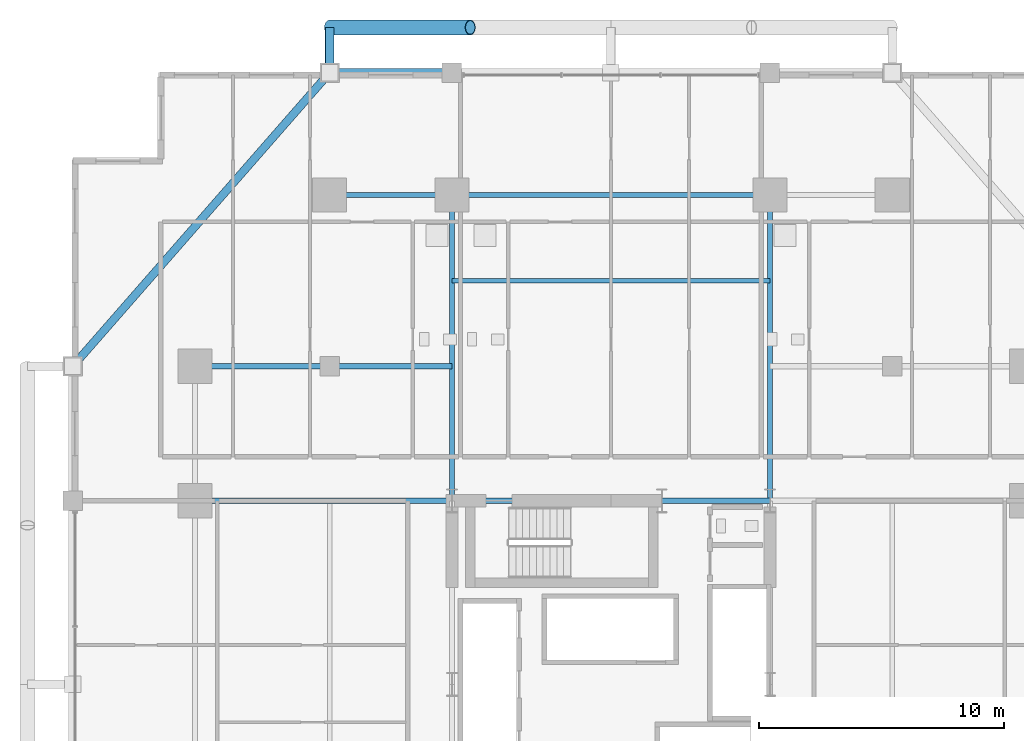
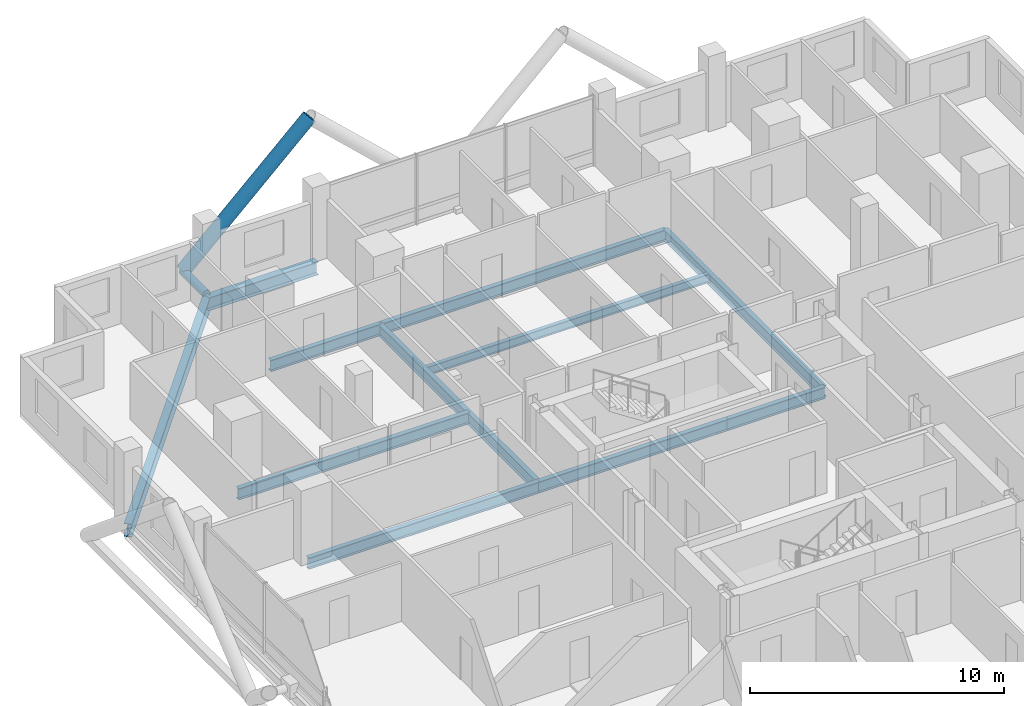
# One storey, part 14 of 28: 12 beams, 2 members.
"""IFC4 building model written with IfcOpenShell, lengths in metres."""

import ifcopenshell
import ifcopenshell.guid

model = None  # the IFC model being written
_history = None  # IfcOwnerHistory: only IFC2X3 demands one
_inside = {}  # id of a spatial element -> (the spatial element, [elements in it])
_under = {}  # id of a project, library or spatial element -> (it, [spatial elements below it])
_declared = {}  # id of a project -> (the project, [libraries it declares])
_typed = {}  # id of a type object -> (the type object, [elements of that type])
_made_of = {}  # id of a material, layer set ... -> (it, [elements and type objects made of it])


def new_model(schema):
    """Start an empty IFC model of exactly this schema.

    Asked for "IFC4X3", IfcOpenShell would pick the latest addendum, in which some entities
    have other attributes; the version numbers below select the first issue.
    IFC2X3 requires an IfcOwnerHistory on every rooted entity: one is made here for all.
    """
    global model, _history
    if schema == "IFC4X3":
        model = ifcopenshell.file(schema_version=(4, 3, 0, 0))
    else:
        model = ifcopenshell.file(schema=schema)
    _inside.clear()
    _under.clear()
    _declared.clear()
    _typed.clear()
    _made_of.clear()
    _history = None
    if model.schema == "IFC2X3":
        org = make("IfcOrganization", Name="unknown")
        user = make(
            "IfcPersonAndOrganization",
            ThePerson=make("IfcPerson", FamilyName="unknown"),
            TheOrganization=org,
        )
        app = make(
            "IfcApplication",
            ApplicationDeveloper=org,
            Version="unknown",
            ApplicationFullName="unknown",
            ApplicationIdentifier="unknown",
        )
        _history = make(
            "IfcOwnerHistory",
            OwningUser=user,
            OwningApplication=app,
            ChangeAction="ADDED",
            CreationDate=0,
        )
    return model


def make(cls, **values):
    """One entity of the class cls with the attributes given. An attribute that is None is left unset."""
    return model.create_entity(
        cls, **{name: value for name, value in values.items() if value is not None}
    )


def rooted(cls, **values):
    """An entity with a GlobalId (a new one), such as an element, a storey or a relation."""
    return make(cls, GlobalId=ifcopenshell.guid.new(), OwnerHistory=_history, **values)


def si_unit(unit_type, name, prefix=None):
    """IfcSIUnit, for example si_unit("LENGTHUNIT", "METRE", prefix="MILLI")."""
    return make("IfcSIUnit", UnitType=unit_type, Prefix=prefix, Name=name)


def assignment(units):
    """IfcUnitAssignment: the units of a project."""
    return None if units is None else make("IfcUnitAssignment", Units=units)


def point(xyz):
    """IfcCartesianPoint."""
    return None if xyz is None else make("IfcCartesianPoint", Coordinates=xyz)


def direction(xyz):
    """IfcDirection."""
    return None if xyz is None else make("IfcDirection", DirectionRatios=xyz)


def frame(location, z_axis=None, x_axis=None):
    """IfcAxis2Placement3D, a coordinate frame: its origin and axes. An axis left out is left unset."""
    return make(
        "IfcAxis2Placement3D",
        Location=point(location),
        Axis=direction(z_axis),
        RefDirection=direction(x_axis),
    )


def frame_2d(location, x_axis=None):
    """IfcAxis2Placement2D, a coordinate frame in the plane: its origin and x axis."""
    return make(
        "IfcAxis2Placement2D", Location=point(location), RefDirection=direction(x_axis)
    )


def origin():
    """The frame at (0, 0, 0) with its axes left unset."""
    return frame((0.0, 0.0, 0.0))


def origin_2d():
    """The frame at (0, 0) in the plane with its x axis left unset."""
    return frame_2d((0.0, 0.0))


def place(relative_to, where):
    """IfcLocalPlacement: puts the frame where relative to a parent placement (None: the world)."""
    return make(
        "IfcLocalPlacement", PlacementRelTo=relative_to, RelativePlacement=where
    )


def context(
    kind, dimensions, precision=None, world=None, true_north=None, identifier=None
):
    """IfcGeometricRepresentationContext, for example the 3D "Model" context."""
    return make(
        "IfcGeometricRepresentationContext",
        ContextIdentifier=identifier,
        ContextType=kind,
        CoordinateSpaceDimension=dimensions,
        Precision=precision,
        WorldCoordinateSystem=world,
        TrueNorth=true_north,
    )


def subcontext(parent, identifier, kind, view, scale=None):
    """IfcGeometricRepresentationSubContext, for example "Body" below "Model"."""
    return make(
        "IfcGeometricRepresentationSubContext",
        ContextIdentifier=identifier,
        ContextType=kind,
        ParentContext=parent,
        TargetScale=scale,
        TargetView=view,
    )


def project(units=None, contexts=None):
    """IfcProject with its units and contexts."""
    return rooted(
        "IfcProject",
        Name="project",
        RepresentationContexts=contexts,
        UnitsInContext=assignment(units),
    )


def spatial(cls, under=None, at=None, **own):
    """A site, building, storey or space (cls), placed at a placement, below another one or the project."""
    s = rooted(cls, ObjectPlacement=at, **own)
    if under is not None:
        _under.setdefault(under.id(), (under, []))[1].append(s)
    return s


def profile(cls, at=None, kind="AREA", **sizes):
    """A parametric profile (cls). Its sizes go by their IFC names, for example OverallWidth=200.0."""
    return make(cls, ProfileType=kind, Position=at, **sizes)


def hollow_circle(**sizes):
    """IfcCircleHollowProfileDef."""
    return profile("IfcCircleHollowProfileDef", **sizes)


def i_section(**sizes):
    """IfcIShapeProfileDef."""
    return profile("IfcIShapeProfileDef", **sizes)


def extrude(swept, where, along, depth):
    """IfcExtrudedAreaSolid: the profile swept, set in the frame where, extruded along a direction by depth."""
    return make(
        "IfcExtrudedAreaSolid",
        SweptArea=swept,
        Position=where,
        ExtrudedDirection=direction(along),
        Depth=depth,
    )


def shape(context_of_items, identifier, shape_type, items):
    """IfcShapeRepresentation: the items that make up one representation, for example the "Body"."""
    return make(
        "IfcShapeRepresentation",
        ContextOfItems=context_of_items,
        RepresentationIdentifier=identifier,
        RepresentationType=shape_type,
        Items=items,
    )


def material(Name=None, Category=None):
    """IfcMaterial."""
    return make("IfcMaterial", Name=Name, Category=Category)


def material_profile(
    of_material, cross_section, Name=None, Category=None, Priority=None
):
    """IfcMaterialProfile: a cross section and its material."""
    return make(
        "IfcMaterialProfile",
        Name=Name,
        Material=of_material,
        Profile=cross_section,
        Priority=Priority,
        Category=Category,
    )


def profile_set(profiles, Name=None, composite=None):
    """IfcMaterialProfileSet."""
    return make(
        "IfcMaterialProfileSet",
        Name=Name,
        MaterialProfiles=profiles,
        CompositeProfile=composite,
    )


def made_of(thing, what):
    """Note that an element or type object is made of a material, layer set ...; save() writes the relation."""
    if what is not None:
        _made_of.setdefault(what.id(), (what, []))[1].append(thing)
    return thing


def type_object(cls, material=None, **own):
    """A type object (cls), such as IfcWallType, which elements share."""
    return made_of(rooted(cls, **own), material)


def element(
    cls,
    number,
    at=None,
    inside=None,
    cuts=None,
    type_object=None,
    material=None,
    context=None,
    identifier="Body",
    shape_type=None,
    held_by="IfcProductDefinitionShape",
    body=None,
    shapes=None,
    **own,
):
    """One element of the class cls, such as IfcWall. Its Tag is "e" and its number.

    at: its placement. inside: the storey or other place that contains it. cuts: it is an
    opening in that element (IfcRelVoidsElement). A single representation is given by context,
    identifier, shape_type and body (its items); several are given by shapes. held_by: the class
    of the entity that holds the representations. save() writes the other relations.
    """
    e = rooted(cls, Tag="e%d" % number, ObjectPlacement=at, **own)
    if body is not None:
        shapes = [shape(context, identifier, shape_type, body)]
    if shapes is not None:
        e.Representation = make(held_by, Representations=shapes)
    if inside is not None:
        _inside.setdefault(inside.id(), (inside, []))[1].append(e)
    if cuts is not None:
        rooted(
            "IfcRelVoidsElement", RelatingBuildingElement=cuts, RelatedOpeningElement=e
        )
    if type_object is not None:
        _typed.setdefault(type_object.id(), (type_object, []))[1].append(e)
    return made_of(e, material)


def aggregate(whole, parts):
    """IfcRelAggregates: a whole, such as a stair, and the parts it consists of."""
    return rooted("IfcRelAggregates", RelatingObject=whole, RelatedObjects=parts)


def save(model, path):
    """Write the relations noted so far, then the file.

    IfcRelAggregates (storeys below a building ...), IfcRelContainedInSpatialStructure (elements
    in a storey), IfcRelDefinesByType, IfcRelAssociatesMaterial and IfcRelDeclares: one each for
    every whole, place, type object, material and project.
    """
    for whole, parts in _under.values():
        aggregate(whole, parts)
    for where, things in _inside.values():
        rooted(
            "IfcRelContainedInSpatialStructure",
            RelatedElements=things,
            RelatingStructure=where,
        )
    for kind, things in _typed.values():
        rooted("IfcRelDefinesByType", RelatedObjects=things, RelatingType=kind)
    for what, things in _made_of.values():
        rooted("IfcRelAssociatesMaterial", RelatedObjects=things, RelatingMaterial=what)
    for by, libraries in _declared.values():
        rooted("IfcRelDeclares", RelatingContext=by, RelatedDefinitions=libraries)
    model.write(path)


model = new_model("IFC4")

# Units and contexts
model_context = context("Model", 3, precision=1e-05, world=origin(), true_north=direction((0.0, 1.0)))
body_context = subcontext(model_context, "Body", "Model", "MODEL_VIEW")
ifc_project = project(units=[si_unit("LENGTHUNIT", "METRE"), si_unit("AREAUNIT", "SQUARE_METRE"), si_unit("VOLUMEUNIT", "CUBIC_METRE"), si_unit("PLANEANGLEUNIT", "RADIAN"), si_unit("MASSUNIT", "GRAM", prefix="KILO")], contexts=[model_context])

# Site, building, storey
site_placement = place(None, origin())
site = spatial("IfcSite", under=ifc_project, at=site_placement, CompositionType="ELEMENT")
building_placement = place(site_placement, origin())
building = spatial("IfcBuilding", under=site, at=building_placement, Name="Barlavira Tower and Art Museum", CompositionType="ELEMENT")
storey_placement = place(building_placement, frame((0.0, 0.0, 39.60009765625)))
storey = spatial("IfcBuildingStorey", under=building, at=storey_placement, Name="L08", CompositionType="ELEMENT", Elevation=39.60009765625)

# Members
ifc_material = material(Name="Steel S355", Category="steel")
ifc_material_profile_1 = material_profile(ifc_material, hollow_circle(Radius=0.304931640625, WallThickness=0.028076171875, at=origin_2d()), Name="CHS 610.0x28.0")
ifc_profile_set_1 = profile_set([ifc_material_profile_1], Name="Steel S355")
member_type_1 = type_object("IfcMemberType", Name="Pale-Metal Exoskeleton Diagrid Tube CHS 610x28 Steel S355", PredefinedType="BRACE", material=ifc_profile_set_1)
member_1_placement = place(storey_placement, frame((-11.5, 26.85009765625, -0.1201171875), z_axis=(0.728950095515, 0.0, 0.684566839869), x_axis=(0.0, 1.0, 0.0)))
element("IfcMember", 1, at=member_1_placement, inside=storey, type_object=member_type_1, Name="L08 Exoskeleton Diagrid Tube N", PredefinedType="BRACE", context=body_context, shape_type="SweptSolid", body=[
    extrude(hollow_circle(Radius=0.304931640625, WallThickness=0.028076171875, at=origin_2d()), origin(), (0.0, 0.0, 1.0), 7.887939453125),
])
ifc_material_profile_2 = material_profile(ifc_material, hollow_circle(Radius=0.177734375, WallThickness=0.01611328125, at=origin_2d()), Name="CHS 355.6x16.0")
ifc_profile_set_2 = profile_set([ifc_material_profile_2], Name="Steel S355")
member_type_2 = type_object("IfcMemberType", Name="Pale-Metal Exoskeleton Tie Strut CHS 356x16 Steel S355", PredefinedType="STRUT", material=ifc_profile_set_2)
member_2_placement = place(storey_placement, frame((-11.5, 26.85009765625, -0.1201171875), z_axis=(0.0, -1.0, 0.0), x_axis=(1.0, 0.0, 0.0)))
element("IfcMember", 2, at=member_2_placement, inside=storey, type_object=member_type_2, Name="L08 Exoskeleton Tie Strut N1", PredefinedType="STRUT", context=body_context, shape_type="SweptSolid", body=[
    extrude(hollow_circle(Radius=0.177734375, WallThickness=0.01611328125, at=origin_2d()), origin(), (0.0, 0.0, 1.0), 1.85009765625),
])

# Beams
ifc_material_profile_3 = material_profile(ifc_material, i_section(OverallWidth=0.327880859375, OverallDepth=0.62890625, WebThickness=0.013916015625, FlangeThickness=0.021484375, at=origin_2d()), Name="W610x174.0")
ifc_profile_set_3 = profile_set([ifc_material_profile_3], Name="Steel S355")
beam_type_1 = type_object("IfcBeamType", Name="Perimeter Spandrel Edge Beam W610x174 Steel S355", PredefinedType="SPANDREL", material=ifc_profile_set_3)
beam_1_placement = place(storey_placement, frame((-11.5, 25.0, -0.53466796875), z_axis=(1.0, 0.0, 0.0), x_axis=(0.0, 1.0, 0.0)))
element("IfcBeam", 3, at=beam_1_placement, inside=storey, type_object=beam_type_1, Name="L08 Spandrel 11", PredefinedType="SPANDREL", context=body_context, shape_type="SweptSolid", body=[
    extrude(i_section(OverallWidth=0.327880859375, OverallDepth=0.62890625, WebThickness=0.013916015625, FlangeThickness=0.021484375, at=origin_2d()), origin(), (0.0, 0.0, 1.0), 5.0),
])
beam_2_placement = place(storey_placement, frame((-11.5, 25.0, -0.53466796875), z_axis=(-0.658504607869, -0.752576694707, 0.0), x_axis=(0.752576694707, -0.658504607869, 0.0)))
element("IfcBeam", 4, at=beam_2_placement, inside=storey, type_object=beam_type_1, Name="L08 Spandrel 12", PredefinedType="SPANDREL", context=body_context, shape_type="SweptSolid", body=[
    extrude(i_section(OverallWidth=0.327880859375, OverallDepth=0.62890625, WebThickness=0.013916015625, FlangeThickness=0.021484375, at=origin_2d()), origin(), (0.0, 0.0, 1.0), 15.9453125),
])
ifc_material_profile_4 = material_profile(ifc_material, i_section(OverallWidth=0.180908203125, OverallDepth=0.4169921875, WebThickness=0.010986328125, FlangeThickness=0.018310546875, at=origin_2d()), Name="W410x85.0")
ifc_profile_set_4 = profile_set([ifc_material_profile_4], Name="Steel S355")
beam_type_2 = type_object("IfcBeamType", Name="Zone 1 Composite Floor Joist W410x85 Steel S355", PredefinedType="JOIST", material=ifc_profile_set_4)
beam_3_placement = place(storey_placement, frame((-6.5, 16.5, -0.4287109375), z_axis=(1.0, 0.0, 0.0), x_axis=(0.0, 1.0, 0.0)))
element("IfcBeam", 5, at=beam_3_placement, inside=storey, type_object=beam_type_2, Name="L08 Joist C2", PredefinedType="JOIST", context=body_context, shape_type="SweptSolid", body=[
    extrude(i_section(OverallWidth=0.180908203125, OverallDepth=0.4169921875, WebThickness=0.010986328125, FlangeThickness=0.018310546875, at=origin_2d()), origin(), (0.0, 0.0, 1.0), 13.0),
])
ifc_material_profile_5 = material_profile(ifc_material, i_section(OverallWidth=0.214111328125, OverallDepth=0.549072265625, WebThickness=0.0146484375, FlangeThickness=0.023681640625, at=origin_2d()), Name="W530x138.0")
ifc_profile_set_5 = profile_set([ifc_material_profile_5], Name="Steel S355")
beam_type_3 = type_object("IfcBeamType", Name="Zone 1 Primary Floor Girder W530x138 Steel S355", PredefinedType="BEAM", material=ifc_profile_set_5)
beam_4_placement = place(storey_placement, frame((-6.5, 7.5, -0.49462890625), z_axis=(1.0, 0.0, 0.0), x_axis=(0.0, 1.0, 0.0)))
element("IfcBeam", 6, at=beam_4_placement, inside=storey, type_object=beam_type_3, Name="L08 Girder C-N1", PredefinedType="BEAM", context=body_context, shape_type="SweptSolid", body=[
    extrude(i_section(OverallWidth=0.214111328125, OverallDepth=0.549072265625, WebThickness=0.0146484375, FlangeThickness=0.023681640625, at=origin_2d()), origin(), (0.0, 0.0, 1.0), 8.580078125),
])
beam_5_placement = place(storey_placement, frame((2.080078125, 7.5, -0.49462890625), z_axis=(1.0, 0.0, 0.0), x_axis=(0.0, 1.0, 0.0)))
element("IfcBeam", 7, at=beam_5_placement, inside=storey, type_object=beam_type_3, Name="L08 Girder C-N2", PredefinedType="BEAM", context=body_context, shape_type="SweptSolid", body=[
    extrude(i_section(OverallWidth=0.214111328125, OverallDepth=0.549072265625, WebThickness=0.0146484375, FlangeThickness=0.023681640625, at=origin_2d()), origin(), (0.0, 0.0, 1.0), 4.419921875),
])
beam_6_placement = place(storey_placement, frame((-11.5, 20.0, -0.49462890625), z_axis=(1.0, 0.0, 0.0), x_axis=(0.0, 1.0, 0.0)))
element("IfcBeam", 8, at=beam_6_placement, inside=storey, type_object=beam_type_3, Name="L08 Girder M-N1", PredefinedType="BEAM", context=body_context, shape_type="SweptSolid", body=[
    extrude(i_section(OverallWidth=0.214111328125, OverallDepth=0.549072265625, WebThickness=0.0146484375, FlangeThickness=0.023681640625, at=origin_2d()), origin(), (0.0, 0.0, 1.0), 5.0),
])
beam_7_placement = place(storey_placement, frame((-6.5, 20.0, -0.49462890625), z_axis=(1.0, 0.0, 0.0), x_axis=(0.0, 1.0, 0.0)))
element("IfcBeam", 9, at=beam_7_placement, inside=storey, type_object=beam_type_3, Name="L08 Girder M-N2", PredefinedType="BEAM", context=body_context, shape_type="SweptSolid", body=[
    extrude(i_section(OverallWidth=0.214111328125, OverallDepth=0.549072265625, WebThickness=0.0146484375, FlangeThickness=0.023681640625, at=origin_2d()), origin(), (0.0, 0.0, 1.0), 13.0),
])
for number, where, z_axis, x_axis, name in (
    (10, (-6.5, 7.5, -0.49462890625), (0.0, 1.0, 0.0), (-1.0, 0.0, 0.0), "L08 Girder R-N1"),
    (11, (6.5, 7.5, -0.49462890625), (0.0, 1.0, 0.0), (-1.0, 0.0, 0.0), "L08 Girder R-N2"),
):
    element("IfcBeam", number, at=place(storey_placement, frame(where, z_axis=z_axis, x_axis=x_axis)), inside=storey, type_object=beam_type_3, Name=name, PredefinedType="BEAM", context=body_context, shape_type="SweptSolid", body=[
        extrude(i_section(OverallWidth=0.214111328125, OverallDepth=0.549072265625, WebThickness=0.0146484375, FlangeThickness=0.023681640625, at=origin_2d()), origin(), (0.0, 0.0, 1.0), 12.5),
    ])
beam_8_placement = place(storey_placement, frame((-17.0, 7.5, -0.49462890625), z_axis=(1.0, 0.0, 0.0), x_axis=(0.0, 1.0, 0.0)))
element("IfcBeam", 12, at=beam_8_placement, inside=storey, type_object=beam_type_3, Name="L08 Girder R-W2", PredefinedType="BEAM", context=body_context, shape_type="SweptSolid", body=[
    extrude(i_section(OverallWidth=0.214111328125, OverallDepth=0.549072265625, WebThickness=0.0146484375, FlangeThickness=0.023681640625, at=origin_2d()), origin(), (0.0, 0.0, 1.0), 10.5),
])
beam_9_placement = place(storey_placement, frame((-17.0, 13.0, -0.49462890625), z_axis=(1.0, 0.0, 0.0), x_axis=(0.0, 1.0, 0.0)))
element("IfcBeam", 13, at=beam_9_placement, inside=storey, type_object=beam_type_3, Name="L08 Girder I-N1", PredefinedType="BEAM", context=body_context, shape_type="SweptSolid", body=[
    extrude(i_section(OverallWidth=0.214111328125, OverallDepth=0.549072265625, WebThickness=0.0146484375, FlangeThickness=0.023681640625, at=origin_2d()), origin(), (0.0, 0.0, 1.0), 5.5),
])
beam_10_placement = place(storey_placement, frame((-11.5, 13.0, -0.49462890625), z_axis=(1.0, 0.0, 0.0), x_axis=(0.0, 1.0, 0.0)))
element("IfcBeam", 14, at=beam_10_placement, inside=storey, type_object=beam_type_3, Name="L08 Girder I-N2", PredefinedType="BEAM", context=body_context, shape_type="SweptSolid", body=[
    extrude(i_section(OverallWidth=0.214111328125, OverallDepth=0.549072265625, WebThickness=0.0146484375, FlangeThickness=0.023681640625, at=origin_2d()), origin(), (0.0, 0.0, 1.0), 5.0),
])

save(model, "model.ifc")
